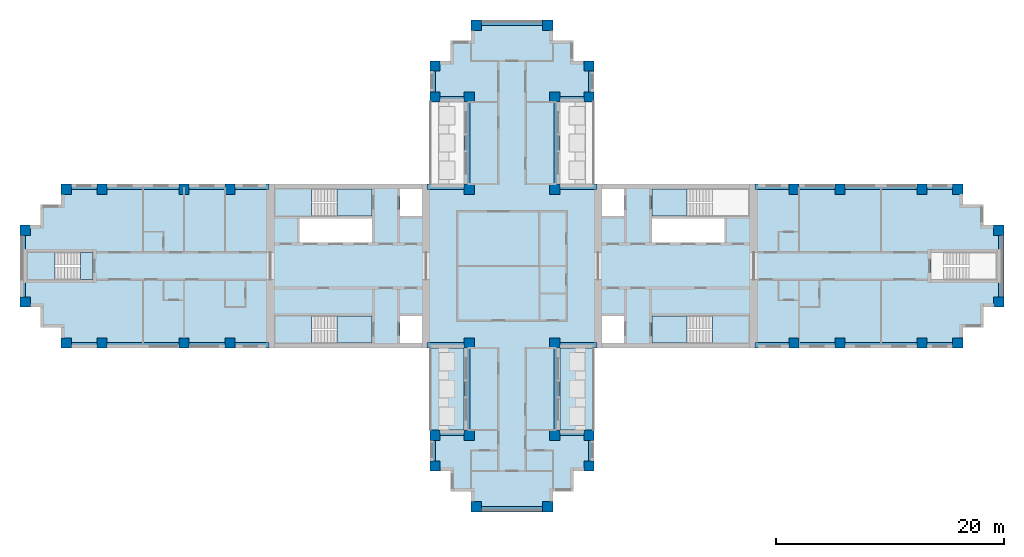
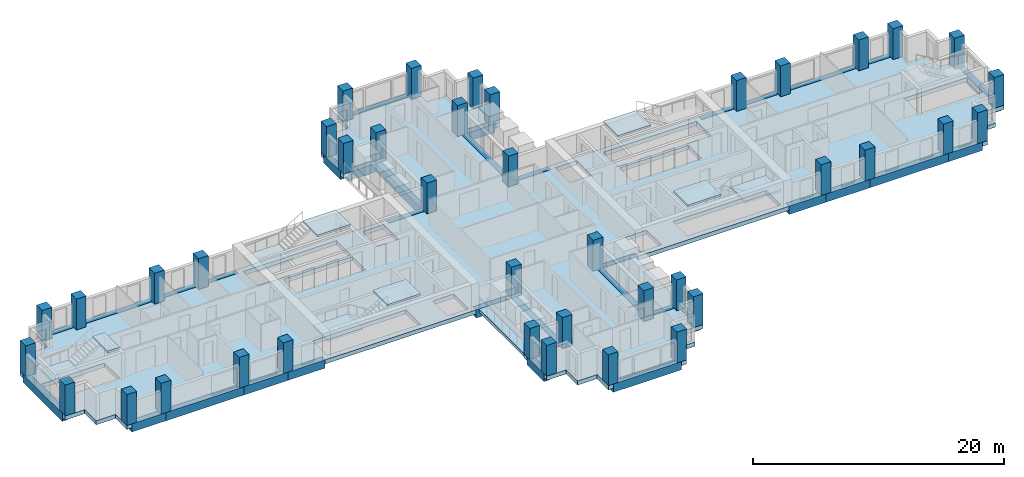
# One storey, part 1 of 12: 40 columns, 36 beams, 12 slabs, 5 elements without a shape of their own.
"""IFC4 building model written with IfcOpenShell, lengths in metres."""

from ifc_helpers import new_model, si_unit, direction, frame, origin, origin_2d, place, context, subcontext, project, spatial, polyline, rectangle, outline, extrude, material, layer, layer_set, material_profile, profile_set, type_object, element, aggregate, save


model = new_model("IFC4")

# Units and contexts
model_context = context("Model", 3, precision=1e-05, world=origin(), true_north=direction((0.0, 1.0)))
body_context = subcontext(model_context, "Body", "Model", "MODEL_VIEW")
ifc_project = project(units=[si_unit("LENGTHUNIT", "METRE"), si_unit("AREAUNIT", "SQUARE_METRE"), si_unit("VOLUMEUNIT", "CUBIC_METRE"), si_unit("PLANEANGLEUNIT", "RADIAN"), si_unit("MASSUNIT", "GRAM", prefix="KILO")], contexts=[model_context])

# Site, building, storey
site_placement = place(None, origin())
site = spatial("IfcSite", under=ifc_project, at=site_placement, CompositionType="ELEMENT")
building_placement = place(site_placement, origin())
building = spatial("IfcBuilding", under=site, at=building_placement, Name="Fustian Cross Tower", CompositionType="ELEMENT")
storey_placement = place(building_placement, frame((0.0, 0.0, 132.300048828125)))
storey = spatial("IfcBuildingStorey", under=building, at=storey_placement, Name="L41", CompositionType="ELEMENT", Elevation=132.300048828125)

# Columns
ifc_material_1 = material(Name="Concrete C50/60", Category="concrete")
ifc_material_profile_1 = material_profile(ifc_material_1, rectangle(XDim=0.89990234375, YDim=0.89990234375, at=origin_2d()), Name="RC 900x900")
ifc_profile_set_1 = profile_set([ifc_material_profile_1], Name="Concrete C50/60")
column_type = type_object("IfcColumnType", Name="COLUMN RC 900x900 C50/60", PredefinedType="COLUMN", material=ifc_profile_set_1)
for number, where, z_axis, x_axis, name in (
    (1, (-42.75, -3.14990234375, 0.0), (0.0, 0.0, 1.0), (1.0, 0.0, 0.0), "COLUMN 001"),
    (2, (-42.75, 3.14990234375, 0.0), (0.0, 0.0, 1.0), (1.0, 0.0, 0.0), "COLUMN 002"),
    (3, (-39.14990234375, -6.75, 0.0), (0.0, 0.0, 1.0), (1.0, 0.0, 0.0), "COLUMN 003"),
    (4, (-39.14990234375, 6.75, 0.0), (0.0, 0.0, 1.0), (1.0, 0.0, 0.0), "COLUMN 004"),
    (5, (-36.0, -6.75, 0.0), (0.0, 0.0, 1.0), (1.0, 0.0, 0.0), "COLUMN 005"),
    (6, (-36.0, 6.75, 0.0), (0.0, 0.0, 1.0), (1.0, 0.0, 0.0), "COLUMN 006"),
    (7, (-28.800048828125, -6.75, 0.0), (0.0, 0.0, 1.0), (1.0, 0.0, 0.0), "COLUMN 007"),
    (8, (-28.800048828125, 6.75, 0.0), (0.0, 0.0, 1.0), (1.0, 0.0, 0.0), "COLUMN 010"),
    (9, (-24.75, -6.75, 0.0), (0.0, 0.0, 1.0), (1.0, 0.0, 0.0), "COLUMN 011"),
    (10, (-24.75, 6.75, 0.0), (0.0, 0.0, 1.0), (1.0, 0.0, 0.0), "COLUMN 012"),
    (11, (-6.75, -17.550048828125, 0.0), (0.0, 0.0, 1.0), (1.0, 0.0, 0.0), "COLUMN 017"),
    (12, (-6.75, -14.85009765625, 0.0), (0.0, 0.0, 1.0), (1.0, 0.0, 0.0), "COLUMN 018"),
    (13, (-6.75, 14.85009765625, 0.0), (0.0, 0.0, 1.0), (1.0, 0.0, 0.0), "COLUMN 019"),
    (14, (-6.75, 17.550048828125, 0.0), (0.0, 0.0, 1.0), (1.0, 0.0, 0.0), "COLUMN 020"),
    (15, (-3.75, -14.85009765625, 0.0), (0.0, 0.0, 1.0), (1.0, 0.0, 0.0), "COLUMN 025"),
    (16, (-3.75, -6.75, 0.0), (0.0, 0.0, 1.0), (1.0, 0.0, 0.0), "COLUMN 026"),
    (17, (-3.75, 6.75, 0.0), (0.0, 0.0, 1.0), (1.0, 0.0, 0.0), "COLUMN 027"),
    (18, (-3.75, 14.85009765625, 0.0), (0.0, 0.0, 1.0), (1.0, 0.0, 0.0), "COLUMN 028"),
    (19, (-3.14990234375, -21.14990234375, 0.0), (0.0, 0.0, 1.0), (1.0, 0.0, 0.0), "COLUMN 030"),
    (20, (-3.14990234375, 21.14990234375, 0.0), (0.0, 0.0, 1.0), (1.0, 0.0, 0.0), "COLUMN 031"),
    (21, (3.14990234375, -21.14990234375, 0.0), (0.0, 0.0, 1.0), (1.0, 0.0, 0.0), "COLUMN 034"),
    (22, (3.14990234375, 21.14990234375, 0.0), (0.0, 0.0, 1.0), (1.0, 0.0, 0.0), "COLUMN 035"),
    (23, (3.75, -14.85009765625, 0.0), (0.0, 0.0, 1.0), (1.0, 0.0, 0.0), "COLUMN 037"),
    (24, (3.75, -6.75, 0.0), (0.0, 0.0, 1.0), (1.0, 0.0, 0.0), "COLUMN 038"),
    (25, (3.75, 6.75, 0.0), (0.0, 0.0, 1.0), (1.0, 0.0, 0.0), "COLUMN 039"),
    (26, (3.75, 14.85009765625, 0.0), (0.0, 0.0, 1.0), (1.0, 0.0, 0.0), "COLUMN 040"),
    (27, (6.75, -17.550048828125, 0.0), (0.0, 0.0, 1.0), (1.0, 0.0, 0.0), "COLUMN 045"),
    (28, (6.75, -14.85009765625, 0.0), (0.0, 0.0, 1.0), (1.0, 0.0, 0.0), "COLUMN 046"),
    (29, (6.75, 14.85009765625, 0.0), (0.0, 0.0, 1.0), (1.0, 0.0, 0.0), "COLUMN 047"),
    (30, (6.75, 17.550048828125, 0.0), (0.0, 0.0, 1.0), (1.0, 0.0, 0.0), "COLUMN 048"),
    (31, (24.75, -6.75, 0.0), (0.0, 0.0, 1.0), (1.0, 0.0, 0.0), "COLUMN 053"),
    (32, (24.75, 6.75, 0.0), (0.0, 0.0, 1.0), (1.0, 0.0, 0.0), "COLUMN 054"),
    (33, (28.800048828125, -6.75, 0.0), (0.0, 0.0, 1.0), (1.0, 0.0, 0.0), "COLUMN 055"),
    (34, (28.800048828125, 6.75, 0.0), (0.0, 0.0, 1.0), (1.0, 0.0, 0.0), "COLUMN 058"),
    (35, (36.0, -6.75, 0.0), (0.0, 0.0, 1.0), (1.0, 0.0, 0.0), "COLUMN 059"),
    (36, (36.0, 6.75, 0.0), (0.0, 0.0, 1.0), (1.0, 0.0, 0.0), "COLUMN 060"),
    (37, (39.14990234375, -6.75, 0.0), (0.0, 0.0, 1.0), (1.0, 0.0, 0.0), "COLUMN 061"),
    (38, (39.14990234375, 6.75, 0.0), (0.0, 0.0, 1.0), (1.0, 0.0, 0.0), "COLUMN 062"),
    (39, (42.75, -3.14990234375, 0.0), (0.0, 0.0, 1.0), (1.0, 0.0, 0.0), "COLUMN 063"),
    (40, (42.75, 3.14990234375, 0.0), (0.0, 0.0, 1.0), (1.0, 0.0, 0.0), "COLUMN 064"),
):
    element("IfcColumn", number, at=place(storey_placement, frame(where, z_axis=z_axis, x_axis=x_axis)), inside=storey, type_object=column_type, Name=name, PredefinedType="COLUMN", context=body_context, shape_type="SweptSolid", body=[
        extrude(rectangle(XDim=0.89990234375, YDim=0.89990234375, at=origin_2d()), origin(), (0.0, 0.0, 1.0), 3.0),
    ])

# Beams
ifc_material_2 = material(Name="Concrete C50/60", Category="concrete")
ifc_material_profile_2 = material_profile(ifc_material_2, rectangle(XDim=0.5, YDim=0.800048828125, at=origin_2d()), Name="RC 500x800")
ifc_profile_set_2 = profile_set([ifc_material_profile_2], Name="Concrete C50/60")
beam_type = type_object("IfcBeamType", Name="EDGE BEAM RC 500x800 C50/60", PredefinedType="SPANDREL", material=ifc_profile_set_2)
beam_1_placement = place(storey_placement, frame((21.35009765625, -6.949951171875, -0.400146484375), z_axis=(1.0, 0.0, 0.0), x_axis=(0.0, 1.0, 0.0)))
element("IfcBeam", 41, at=beam_1_placement, inside=storey, type_object=beam_type, Name="EDGE BEAM L41-01", PredefinedType="SPANDREL", context=body_context, shape_type="SweptSolid", body=[
    extrude(rectangle(XDim=0.5, YDim=0.800048828125, at=origin_2d()), origin(), (0.0, 0.0, 1.0), 3.39990234375),
])
beam_2_placement = place(storey_placement, frame((24.75, -6.949951171875, -0.400146484375), z_axis=(1.0, 0.0, 0.0), x_axis=(0.0, 1.0, 0.0)))
element("IfcBeam", 42, at=beam_2_placement, inside=storey, type_object=beam_type, Name="EDGE BEAM L41-02", PredefinedType="SPANDREL", context=body_context, shape_type="SweptSolid", body=[
    extrude(rectangle(XDim=0.5, YDim=0.800048828125, at=origin_2d()), origin(), (0.0, 0.0, 1.0), 4.050048828125),
])
beam_3_placement = place(storey_placement, frame((28.800048828125, -6.949951171875, -0.400146484375), z_axis=(1.0, 0.0, 0.0), x_axis=(0.0, 1.0, 0.0)))
element("IfcBeam", 43, at=beam_3_placement, inside=storey, type_object=beam_type, Name="EDGE BEAM L41-03", PredefinedType="SPANDREL", context=body_context, shape_type="SweptSolid", body=[
    extrude(rectangle(XDim=0.5, YDim=0.800048828125, at=origin_2d()), origin(), (0.0, 0.0, 1.0), 7.199951171875),
])
beam_4_placement = place(storey_placement, frame((36.0, -6.949951171875, -0.400146484375), z_axis=(1.0, 0.0, 0.0), x_axis=(0.0, 1.0, 0.0)))
element("IfcBeam", 44, at=beam_4_placement, inside=storey, type_object=beam_type, Name="EDGE BEAM L41-04", PredefinedType="SPANDREL", context=body_context, shape_type="SweptSolid", body=[
    extrude(rectangle(XDim=0.5, YDim=0.800048828125, at=origin_2d()), origin(), (0.0, 0.0, 1.0), 3.14990234375),
])
beam_5_placement = place(storey_placement, frame((42.949951171875, -3.14990234375, -0.400146484375), z_axis=(0.0, 1.0, 0.0), x_axis=(-1.0, 0.0, 0.0)))
element("IfcBeam", 45, at=beam_5_placement, inside=storey, type_object=beam_type, Name="EDGE BEAM L41-05", PredefinedType="SPANDREL", context=body_context, shape_type="SweptSolid", body=[
    extrude(rectangle(XDim=0.5, YDim=0.800048828125, at=origin_2d()), origin(), (0.0, 0.0, 1.0), 6.2998046875),
])
beam_6_placement = place(storey_placement, frame((39.14990234375, 6.949951171875, -0.400146484375), z_axis=(-1.0, 0.0, 0.0), x_axis=(0.0, -1.0, 0.0)))
element("IfcBeam", 46, at=beam_6_placement, inside=storey, type_object=beam_type, Name="EDGE BEAM L41-06", PredefinedType="SPANDREL", context=body_context, shape_type="SweptSolid", body=[
    extrude(rectangle(XDim=0.5, YDim=0.800048828125, at=origin_2d()), origin(), (0.0, 0.0, 1.0), 3.14990234375),
])
beam_7_placement = place(storey_placement, frame((36.0, 6.949951171875, -0.400146484375), z_axis=(-1.0, 0.0, 0.0), x_axis=(0.0, -1.0, 0.0)))
element("IfcBeam", 47, at=beam_7_placement, inside=storey, type_object=beam_type, Name="EDGE BEAM L41-07", PredefinedType="SPANDREL", context=body_context, shape_type="SweptSolid", body=[
    extrude(rectangle(XDim=0.5, YDim=0.800048828125, at=origin_2d()), origin(), (0.0, 0.0, 1.0), 7.199951171875),
])
beam_8_placement = place(storey_placement, frame((28.800048828125, 6.949951171875, -0.400146484375), z_axis=(-1.0, 0.0, 0.0), x_axis=(0.0, -1.0, 0.0)))
element("IfcBeam", 48, at=beam_8_placement, inside=storey, type_object=beam_type, Name="EDGE BEAM L41-08", PredefinedType="SPANDREL", context=body_context, shape_type="SweptSolid", body=[
    extrude(rectangle(XDim=0.5, YDim=0.800048828125, at=origin_2d()), origin(), (0.0, 0.0, 1.0), 4.050048828125),
])
beam_9_placement = place(storey_placement, frame((24.75, 6.949951171875, -0.400146484375), z_axis=(-1.0, 0.0, 0.0), x_axis=(0.0, -1.0, 0.0)))
element("IfcBeam", 49, at=beam_9_placement, inside=storey, type_object=beam_type, Name="EDGE BEAM L41-09", PredefinedType="SPANDREL", context=body_context, shape_type="SweptSolid", body=[
    extrude(rectangle(XDim=0.5, YDim=0.800048828125, at=origin_2d()), origin(), (0.0, 0.0, 1.0), 3.39990234375),
])
beam_10_placement = place(storey_placement, frame((7.449951171875, 6.949951171875, -0.400146484375), z_axis=(-1.0, 0.0, 0.0), x_axis=(0.0, -1.0, 0.0)))
element("IfcBeam", 50, at=beam_10_placement, inside=storey, type_object=beam_type, Name="EDGE BEAM L41-10", PredefinedType="SPANDREL", context=body_context, shape_type="SweptSolid", body=[
    extrude(rectangle(XDim=0.5, YDim=0.800048828125, at=origin_2d()), origin(), (0.0, 0.0, 1.0), 3.699951171875),
])
beam_11_placement = place(storey_placement, frame((3.949951171875, 6.75, -0.400146484375), z_axis=(0.0, 1.0, 0.0), x_axis=(-1.0, 0.0, 0.0)))
element("IfcBeam", 51, at=beam_11_placement, inside=storey, type_object=beam_type, Name="EDGE BEAM L41-11", PredefinedType="SPANDREL", context=body_context, shape_type="SweptSolid", body=[
    extrude(rectangle(XDim=0.5, YDim=0.800048828125, at=origin_2d()), origin(), (0.0, 0.0, 1.0), 8.10009765625),
])
beam_12_placement = place(storey_placement, frame((3.75, 14.64990234375, -0.400146484375), z_axis=(1.0, 0.0, 0.0), x_axis=(0.0, 1.0, 0.0)))
element("IfcBeam", 52, at=beam_12_placement, inside=storey, type_object=beam_type, Name="EDGE BEAM L41-12", PredefinedType="SPANDREL", context=body_context, shape_type="SweptSolid", body=[
    extrude(rectangle(XDim=0.5, YDim=0.800048828125, at=origin_2d()), origin(), (0.0, 0.0, 1.0), 3.0),
])
beam_13_placement = place(storey_placement, frame((6.949951171875, 14.85009765625, -0.400146484375), z_axis=(0.0, 1.0, 0.0), x_axis=(-1.0, 0.0, 0.0)))
element("IfcBeam", 53, at=beam_13_placement, inside=storey, type_object=beam_type, Name="EDGE BEAM L41-13", PredefinedType="SPANDREL", context=body_context, shape_type="SweptSolid", body=[
    extrude(rectangle(XDim=0.5, YDim=0.800048828125, at=origin_2d()), origin(), (0.0, 0.0, 1.0), 2.699951171875),
])
beam_14_placement = place(storey_placement, frame((3.14990234375, 21.35009765625, -0.400146484375), z_axis=(-1.0, 0.0, 0.0), x_axis=(0.0, -1.0, 0.0)))
element("IfcBeam", 54, at=beam_14_placement, inside=storey, type_object=beam_type, Name="EDGE BEAM L41-14", PredefinedType="SPANDREL", context=body_context, shape_type="SweptSolid", body=[
    extrude(rectangle(XDim=0.5, YDim=0.800048828125, at=origin_2d()), origin(), (0.0, 0.0, 1.0), 6.2998046875),
])
beam_15_placement = place(storey_placement, frame((-6.949951171875, 17.550048828125, -0.400146484375), z_axis=(0.0, -1.0, 0.0), x_axis=(1.0, 0.0, 0.0)))
element("IfcBeam", 55, at=beam_15_placement, inside=storey, type_object=beam_type, Name="EDGE BEAM L41-15", PredefinedType="SPANDREL", context=body_context, shape_type="SweptSolid", body=[
    extrude(rectangle(XDim=0.5, YDim=0.800048828125, at=origin_2d()), origin(), (0.0, 0.0, 1.0), 2.699951171875),
])
beam_16_placement = place(storey_placement, frame((-6.75, 14.64990234375, -0.400146484375), z_axis=(1.0, 0.0, 0.0), x_axis=(0.0, 1.0, 0.0)))
element("IfcBeam", 56, at=beam_16_placement, inside=storey, type_object=beam_type, Name="EDGE BEAM L41-16", PredefinedType="SPANDREL", context=body_context, shape_type="SweptSolid", body=[
    extrude(rectangle(XDim=0.5, YDim=0.800048828125, at=origin_2d()), origin(), (0.0, 0.0, 1.0), 3.0),
])
beam_17_placement = place(storey_placement, frame((-3.949951171875, 14.85009765625, -0.400146484375), z_axis=(0.0, -1.0, 0.0), x_axis=(1.0, 0.0, 0.0)))
element("IfcBeam", 57, at=beam_17_placement, inside=storey, type_object=beam_type, Name="EDGE BEAM L41-17", PredefinedType="SPANDREL", context=body_context, shape_type="SweptSolid", body=[
    extrude(rectangle(XDim=0.5, YDim=0.800048828125, at=origin_2d()), origin(), (0.0, 0.0, 1.0), 8.10009765625),
])
beam_18_placement = place(storey_placement, frame((-3.75, 6.949951171875, -0.400146484375), z_axis=(-1.0, 0.0, 0.0), x_axis=(0.0, -1.0, 0.0)))
element("IfcBeam", 58, at=beam_18_placement, inside=storey, type_object=beam_type, Name="EDGE BEAM L41-18", PredefinedType="SPANDREL", context=body_context, shape_type="SweptSolid", body=[
    extrude(rectangle(XDim=0.5, YDim=0.800048828125, at=origin_2d()), origin(), (0.0, 0.0, 1.0), 3.699951171875),
])
beam_19_placement = place(storey_placement, frame((-21.35009765625, 6.949951171875, -0.400146484375), z_axis=(-1.0, 0.0, 0.0), x_axis=(0.0, -1.0, 0.0)))
element("IfcBeam", 59, at=beam_19_placement, inside=storey, type_object=beam_type, Name="EDGE BEAM L41-19", PredefinedType="SPANDREL", context=body_context, shape_type="SweptSolid", body=[
    extrude(rectangle(XDim=0.5, YDim=0.800048828125, at=origin_2d()), origin(), (0.0, 0.0, 1.0), 3.39990234375),
])
beam_20_placement = place(storey_placement, frame((-24.75, 6.949951171875, -0.400146484375), z_axis=(-1.0, 0.0, 0.0), x_axis=(0.0, -1.0, 0.0)))
element("IfcBeam", 60, at=beam_20_placement, inside=storey, type_object=beam_type, Name="EDGE BEAM L41-20", PredefinedType="SPANDREL", context=body_context, shape_type="SweptSolid", body=[
    extrude(rectangle(XDim=0.5, YDim=0.800048828125, at=origin_2d()), origin(), (0.0, 0.0, 1.0), 4.050048828125),
])
beam_21_placement = place(storey_placement, frame((-28.800048828125, 6.949951171875, -0.400146484375), z_axis=(-1.0, 0.0, 0.0), x_axis=(0.0, -1.0, 0.0)))
element("IfcBeam", 61, at=beam_21_placement, inside=storey, type_object=beam_type, Name="EDGE BEAM L41-21", PredefinedType="SPANDREL", context=body_context, shape_type="SweptSolid", body=[
    extrude(rectangle(XDim=0.5, YDim=0.800048828125, at=origin_2d()), origin(), (0.0, 0.0, 1.0), 7.199951171875),
])
beam_22_placement = place(storey_placement, frame((-36.0, 6.949951171875, -0.400146484375), z_axis=(-1.0, 0.0, 0.0), x_axis=(0.0, -1.0, 0.0)))
element("IfcBeam", 62, at=beam_22_placement, inside=storey, type_object=beam_type, Name="EDGE BEAM L41-22", PredefinedType="SPANDREL", context=body_context, shape_type="SweptSolid", body=[
    extrude(rectangle(XDim=0.5, YDim=0.800048828125, at=origin_2d()), origin(), (0.0, 0.0, 1.0), 3.14990234375),
])
beam_23_placement = place(storey_placement, frame((-42.949951171875, 3.14990234375, -0.400146484375), z_axis=(0.0, -1.0, 0.0), x_axis=(1.0, 0.0, 0.0)))
element("IfcBeam", 63, at=beam_23_placement, inside=storey, type_object=beam_type, Name="EDGE BEAM L41-23", PredefinedType="SPANDREL", context=body_context, shape_type="SweptSolid", body=[
    extrude(rectangle(XDim=0.5, YDim=0.800048828125, at=origin_2d()), origin(), (0.0, 0.0, 1.0), 6.2998046875),
])
beam_24_placement = place(storey_placement, frame((-39.14990234375, -6.949951171875, -0.400146484375), z_axis=(1.0, 0.0, 0.0), x_axis=(0.0, 1.0, 0.0)))
element("IfcBeam", 64, at=beam_24_placement, inside=storey, type_object=beam_type, Name="EDGE BEAM L41-24", PredefinedType="SPANDREL", context=body_context, shape_type="SweptSolid", body=[
    extrude(rectangle(XDim=0.5, YDim=0.800048828125, at=origin_2d()), origin(), (0.0, 0.0, 1.0), 3.14990234375),
])
beam_25_placement = place(storey_placement, frame((-36.0, -6.949951171875, -0.400146484375), z_axis=(1.0, 0.0, 0.0), x_axis=(0.0, 1.0, 0.0)))
element("IfcBeam", 65, at=beam_25_placement, inside=storey, type_object=beam_type, Name="EDGE BEAM L41-25", PredefinedType="SPANDREL", context=body_context, shape_type="SweptSolid", body=[
    extrude(rectangle(XDim=0.5, YDim=0.800048828125, at=origin_2d()), origin(), (0.0, 0.0, 1.0), 7.199951171875),
])
beam_26_placement = place(storey_placement, frame((-28.800048828125, -6.949951171875, -0.400146484375), z_axis=(1.0, 0.0, 0.0), x_axis=(0.0, 1.0, 0.0)))
element("IfcBeam", 66, at=beam_26_placement, inside=storey, type_object=beam_type, Name="EDGE BEAM L41-26", PredefinedType="SPANDREL", context=body_context, shape_type="SweptSolid", body=[
    extrude(rectangle(XDim=0.5, YDim=0.800048828125, at=origin_2d()), origin(), (0.0, 0.0, 1.0), 4.050048828125),
])
beam_27_placement = place(storey_placement, frame((-24.75, -6.949951171875, -0.400146484375), z_axis=(1.0, 0.0, 0.0), x_axis=(0.0, 1.0, 0.0)))
element("IfcBeam", 67, at=beam_27_placement, inside=storey, type_object=beam_type, Name="EDGE BEAM L41-27", PredefinedType="SPANDREL", context=body_context, shape_type="SweptSolid", body=[
    extrude(rectangle(XDim=0.5, YDim=0.800048828125, at=origin_2d()), origin(), (0.0, 0.0, 1.0), 3.39990234375),
])
beam_28_placement = place(storey_placement, frame((-7.449951171875, -6.949951171875, -0.400146484375), z_axis=(1.0, 0.0, 0.0), x_axis=(0.0, 1.0, 0.0)))
element("IfcBeam", 68, at=beam_28_placement, inside=storey, type_object=beam_type, Name="EDGE BEAM L41-28", PredefinedType="SPANDREL", context=body_context, shape_type="SweptSolid", body=[
    extrude(rectangle(XDim=0.5, YDim=0.800048828125, at=origin_2d()), origin(), (0.0, 0.0, 1.0), 3.699951171875),
])
beam_29_placement = place(storey_placement, frame((-3.949951171875, -6.75, -0.400146484375), z_axis=(0.0, -1.0, 0.0), x_axis=(1.0, 0.0, 0.0)))
element("IfcBeam", 69, at=beam_29_placement, inside=storey, type_object=beam_type, Name="EDGE BEAM L41-29", PredefinedType="SPANDREL", context=body_context, shape_type="SweptSolid", body=[
    extrude(rectangle(XDim=0.5, YDim=0.800048828125, at=origin_2d()), origin(), (0.0, 0.0, 1.0), 8.10009765625),
])
beam_30_placement = place(storey_placement, frame((-3.75, -14.64990234375, -0.400146484375), z_axis=(-1.0, 0.0, 0.0), x_axis=(0.0, -1.0, 0.0)))
element("IfcBeam", 70, at=beam_30_placement, inside=storey, type_object=beam_type, Name="EDGE BEAM L41-30", PredefinedType="SPANDREL", context=body_context, shape_type="SweptSolid", body=[
    extrude(rectangle(XDim=0.5, YDim=0.800048828125, at=origin_2d()), origin(), (0.0, 0.0, 1.0), 3.0),
])
beam_31_placement = place(storey_placement, frame((-6.949951171875, -14.85009765625, -0.400146484375), z_axis=(0.0, -1.0, 0.0), x_axis=(1.0, 0.0, 0.0)))
element("IfcBeam", 71, at=beam_31_placement, inside=storey, type_object=beam_type, Name="EDGE BEAM L41-31", PredefinedType="SPANDREL", context=body_context, shape_type="SweptSolid", body=[
    extrude(rectangle(XDim=0.5, YDim=0.800048828125, at=origin_2d()), origin(), (0.0, 0.0, 1.0), 2.699951171875),
])
beam_32_placement = place(storey_placement, frame((-3.14990234375, -21.35009765625, -0.400146484375), z_axis=(1.0, 0.0, 0.0), x_axis=(0.0, 1.0, 0.0)))
element("IfcBeam", 72, at=beam_32_placement, inside=storey, type_object=beam_type, Name="EDGE BEAM L41-32", PredefinedType="SPANDREL", context=body_context, shape_type="SweptSolid", body=[
    extrude(rectangle(XDim=0.5, YDim=0.800048828125, at=origin_2d()), origin(), (0.0, 0.0, 1.0), 6.2998046875),
])
beam_33_placement = place(storey_placement, frame((6.949951171875, -17.550048828125, -0.400146484375), z_axis=(0.0, 1.0, 0.0), x_axis=(-1.0, 0.0, 0.0)))
element("IfcBeam", 73, at=beam_33_placement, inside=storey, type_object=beam_type, Name="EDGE BEAM L41-33", PredefinedType="SPANDREL", context=body_context, shape_type="SweptSolid", body=[
    extrude(rectangle(XDim=0.5, YDim=0.800048828125, at=origin_2d()), origin(), (0.0, 0.0, 1.0), 2.699951171875),
])
beam_34_placement = place(storey_placement, frame((6.75, -14.64990234375, -0.400146484375), z_axis=(-1.0, 0.0, 0.0), x_axis=(0.0, -1.0, 0.0)))
element("IfcBeam", 74, at=beam_34_placement, inside=storey, type_object=beam_type, Name="EDGE BEAM L41-34", PredefinedType="SPANDREL", context=body_context, shape_type="SweptSolid", body=[
    extrude(rectangle(XDim=0.5, YDim=0.800048828125, at=origin_2d()), origin(), (0.0, 0.0, 1.0), 3.0),
])
beam_35_placement = place(storey_placement, frame((3.949951171875, -14.85009765625, -0.400146484375), z_axis=(0.0, 1.0, 0.0), x_axis=(-1.0, 0.0, 0.0)))
element("IfcBeam", 75, at=beam_35_placement, inside=storey, type_object=beam_type, Name="EDGE BEAM L41-35", PredefinedType="SPANDREL", context=body_context, shape_type="SweptSolid", body=[
    extrude(rectangle(XDim=0.5, YDim=0.800048828125, at=origin_2d()), origin(), (0.0, 0.0, 1.0), 8.10009765625),
])
beam_36_placement = place(storey_placement, frame((3.75, -6.949951171875, -0.400146484375), z_axis=(1.0, 0.0, 0.0), x_axis=(0.0, 1.0, 0.0)))
element("IfcBeam", 76, at=beam_36_placement, inside=storey, type_object=beam_type, Name="EDGE BEAM L41-36", PredefinedType="SPANDREL", context=body_context, shape_type="SweptSolid", body=[
    extrude(rectangle(XDim=0.5, YDim=0.800048828125, at=origin_2d()), origin(), (0.0, 0.0, 1.0), 3.699951171875),
])

# Slabs
ifc_material_3 = material(Name="Concrete C40/50", Category="concrete")
ifc_layer_1 = layer(ifc_material_3, 0.300048828125)
ifc_layer_set_1 = layer_set([ifc_layer_1], Name="Concrete C40/50")
slab_type_1 = type_object("IfcSlabType", Name="BS1 BALCONY SLAB 300", PredefinedType="FLOOR", material=ifc_layer_set_1)
slab_1_placement = place(storey_placement, frame((0.0, 0.0, -0.300048828125)))
element("IfcSlab", 77, at=slab_1_placement, inside=storey, type_object=slab_type_1, Name="Balcony slab", PredefinedType="FLOOR", context=body_context, shape_type="SweptSolid", body=[
    extrude(outline(polyline([(4.199951171875, -14.39990234375), (7.199951171875, -14.39990234375), (7.199951171875, -7.199951171875), (4.199951171875, -7.199951171875), (4.199951171875, -14.39990234375)])), origin(), (0.0, 0.0, 1.0), 0.300048828125),
])
slab_2_placement = place(storey_placement, frame((0.0, 0.0, -0.300048828125)))
element("IfcSlab", 78, at=slab_2_placement, inside=storey, type_object=slab_type_1, Name="Balcony slab", PredefinedType="FLOOR", context=body_context, shape_type="SweptSolid", body=[
    extrude(outline(polyline([(-7.199951171875, -14.39990234375), (-4.199951171875, -14.39990234375), (-4.199951171875, -7.199951171875), (-7.199951171875, -7.199951171875), (-7.199951171875, -14.39990234375)])), origin(), (0.0, 0.0, 1.0), 0.300048828125),
])
ifc_material_4 = material(Name="Concrete C40/50", Category="concrete")
ifc_layer_2 = layer(ifc_material_4, 0.39990234375)
ifc_layer_set_2 = layer_set([ifc_layer_2], Name="Concrete C40/50")
slab_type_2 = type_object("IfcSlabType", Name="FLAT SLAB 400", PredefinedType="FLOOR", material=ifc_layer_set_2)
slab_3_placement = place(storey_placement, frame((0.0, 0.0, -0.400146484375)))
element("IfcSlab", 79, at=slab_3_placement, inside=storey, type_object=slab_type_2, Name="FLOOR SLAB L41-1", PredefinedType="FLOOR", context=body_context, shape_type="SweptSolid", body=[
    extrude(outline(polyline([(-5.39990234375, -18.0), (-7.199951171875, -18.0), (-7.199951171875, -14.39990234375), (-4.199951171875, -14.39990234375), (-4.199951171875, -7.199951171875), (-39.60009765625, -7.199951171875), (-39.60009765625, -5.39990234375), (-41.39990234375, -5.39990234375), (-41.39990234375, -3.60009765625), (-43.199951171875, -3.60009765625), (-43.199951171875, 3.60009765625), (-41.39990234375, 3.60009765625), (-41.39990234375, 5.39990234375), (-39.60009765625, 5.39990234375), (-39.60009765625, 7.199951171875), (-4.199951171875, 7.199951171875), (-4.199951171875, 14.39990234375), (-7.199951171875, 14.39990234375), (-7.199951171875, 18.0), (-5.39990234375, 18.0), (-5.39990234375, 19.800048828125), (-3.60009765625, 19.800048828125), (-3.60009765625, 21.60009765625), (3.60009765625, 21.60009765625), (3.60009765625, 19.800048828125), (5.39990234375, 19.800048828125), (5.39990234375, 18.0), (7.199951171875, 18.0), (7.199951171875, 14.39990234375), (4.199951171875, 14.39990234375), (4.199951171875, 7.199951171875), (39.60009765625, 7.199951171875), (39.60009765625, 5.39990234375), (41.39990234375, 5.39990234375), (41.39990234375, 3.60009765625), (43.199951171875, 3.60009765625), (43.199951171875, -3.60009765625), (41.39990234375, -3.60009765625), (41.39990234375, -5.39990234375), (39.60009765625, -5.39990234375), (39.60009765625, -7.199951171875), (4.199951171875, -7.199951171875), (4.199951171875, -14.39990234375), (7.199951171875, -14.39990234375), (7.199951171875, -18.0), (5.39990234375, -18.0), (5.39990234375, -19.800048828125), (3.60009765625, -19.800048828125), (3.60009765625, -21.60009765625), (-3.60009765625, -21.60009765625), (-3.60009765625, -19.800048828125), (-5.39990234375, -19.800048828125), (-5.39990234375, -18.0)]), holes=[polyline([(9.85009765625, 4.39990234375), (9.85009765625, 6.75), (7.89990234375, 6.75), (7.89990234375, 4.39990234375), (9.85009765625, 4.39990234375)]), polyline([(7.89990234375, -6.75), (9.85009765625, -6.75), (9.85009765625, -4.39990234375), (7.89990234375, -4.39990234375), (7.89990234375, -6.75)]), polyline([(-9.85009765625, 6.75), (-9.85009765625, 4.39990234375), (-7.89990234375, 4.39990234375), (-7.89990234375, 6.75), (-9.85009765625, 6.75)]), polyline([(-7.89990234375, -4.39990234375), (-9.85009765625, -4.39990234375), (-9.85009765625, -6.75), (-7.89990234375, -6.75), (-7.89990234375, -4.39990234375)]), polyline([(18.64990234375, 2.050048828125), (18.64990234375, 4.14990234375), (12.300048828125, 4.14990234375), (12.300048828125, 2.050048828125), (18.64990234375, 2.050048828125)]), polyline([(-18.64990234375, 2.050048828125), (-12.300048828125, 2.050048828125), (-12.300048828125, 4.14990234375), (-18.64990234375, 4.14990234375), (-18.64990234375, 2.050048828125)]), polyline([(12.300048828125, 6.699951171875), (12.300048828125, 4.39990234375), (20.85009765625, 4.39990234375), (20.85009765625, 6.699951171875), (12.300048828125, 6.699951171875)]), polyline([(20.85009765625, -4.39990234375), (12.300048828125, -4.39990234375), (12.300048828125, -6.699951171875), (20.85009765625, -6.699951171875), (20.85009765625, -4.39990234375)]), polyline([(-12.300048828125, 4.39990234375), (-12.300048828125, 6.699951171875), (-20.85009765625, 6.699951171875), (-20.85009765625, 4.39990234375), (-12.300048828125, 4.39990234375)]), polyline([(-20.85009765625, -6.699951171875), (-12.300048828125, -6.699951171875), (-12.300048828125, -4.39990234375), (-20.85009765625, -4.39990234375), (-20.85009765625, -6.699951171875)]), polyline([(36.800048828125, 1.199951171875), (36.800048828125, -1.199951171875), (42.60009765625, -1.199951171875), (42.60009765625, 1.199951171875), (36.800048828125, 1.199951171875)]), polyline([(-36.800048828125, 1.199951171875), (-42.60009765625, 1.199951171875), (-42.60009765625, -1.199951171875), (-36.800048828125, -1.199951171875), (-36.800048828125, 1.199951171875)])]), origin(), (0.0, 0.0, 1.0), 0.400146484375),
])

# Stair, slab
ifc_material_5 = material(Name="Concrete C50/60", Category="concrete")
stair_type_1 = type_object("IfcStairType", Name="STAIR 1150 HALF TURN", PredefinedType="HALF_TURN_STAIR", material=ifc_material_5)
stair_1_placement = place(storey_placement, origin())
stair_1 = element("IfcStair", 80, at=stair_1_placement, inside=storey, type_object=stair_type_1, Name="Stair ST1", PredefinedType="HALF_TURN_STAIR")
ifc_material_6 = material(Name="Concrete C50/60", Category="concrete")
ifc_layer_3 = layer(ifc_material_6, 0.199951171875)
ifc_layer_set_3 = layer_set([ifc_layer_3], Name="Concrete C50/60")
slab_type_3 = type_object("IfcSlabType", Name="STAIR LANDING", PredefinedType="LANDING", material=ifc_layer_set_3)
slab_4_placement = place(storey_placement, frame((0.0, 0.0, 2.800048828125)))
slab_4 = element("IfcSlab", 81, at=slab_4_placement, type_object=slab_type_3, Name="ST1 landing 2", PredefinedType="LANDING", context=body_context, shape_type="SweptSolid", body=[
    extrude(outline(polyline([(12.300048828125, 4.39990234375), (15.35009765625, 4.39990234375), (15.35009765625, 6.75), (12.300048828125, 6.75), (12.300048828125, 4.39990234375)])), origin(), (0.0, 0.0, 1.0), 0.199951171875),
])
aggregate(stair_1, [slab_4])

# Stair, slabs
stair_2_placement = place(storey_placement, origin())
stair_2 = element("IfcStair", 82, at=stair_2_placement, inside=storey, type_object=stair_type_1, Name="Stair ST2", PredefinedType="HALF_TURN_STAIR")
slab_5_placement = place(storey_placement, frame((0.0, 0.0, 1.300048828125)))
slab_5 = element("IfcSlab", 83, at=slab_5_placement, type_object=slab_type_3, Name="ST2 landing 1", PredefinedType="LANDING", context=body_context, shape_type="SweptSolid", body=[
    extrude(outline(polyline([(17.590087890625, -4.39990234375), (20.85009765625, -4.39990234375), (20.85009765625, -6.75), (17.590087890625, -6.75), (17.590087890625, -4.39990234375)])), origin(), (0.0, 0.0, 1.0), 0.199951171875),
])
slab_6_placement = place(storey_placement, frame((0.0, 0.0, 2.800048828125)))
slab_6 = element("IfcSlab", 84, at=slab_6_placement, type_object=slab_type_3, Name="ST2 landing 2", PredefinedType="LANDING", context=body_context, shape_type="SweptSolid", body=[
    extrude(outline(polyline([(12.300048828125, -4.39990234375), (15.35009765625, -4.39990234375), (15.35009765625, -6.75), (12.300048828125, -6.75), (12.300048828125, -4.39990234375)])), origin(), (0.0, 0.0, 1.0), 0.199951171875),
])
aggregate(stair_2, [slab_5, slab_6])

stair_3_placement = place(storey_placement, origin())
stair_3 = element("IfcStair", 85, at=stair_3_placement, inside=storey, type_object=stair_type_1, Name="Stair ST3", PredefinedType="HALF_TURN_STAIR")
slab_7_placement = place(storey_placement, frame((0.0, 0.0, 1.300048828125)))
slab_7 = element("IfcSlab", 86, at=slab_7_placement, type_object=slab_type_3, Name="ST3 landing 1", PredefinedType="LANDING", context=body_context, shape_type="SweptSolid", body=[
    extrude(outline(polyline([(-17.590087890625, 4.39990234375), (-20.85009765625, 4.39990234375), (-20.85009765625, 6.75), (-17.590087890625, 6.75), (-17.590087890625, 4.39990234375)])), origin(), (0.0, 0.0, 1.0), 0.199951171875),
])
slab_8_placement = place(storey_placement, frame((0.0, 0.0, 2.800048828125)))
slab_8 = element("IfcSlab", 87, at=slab_8_placement, type_object=slab_type_3, Name="ST3 landing 2", PredefinedType="LANDING", context=body_context, shape_type="SweptSolid", body=[
    extrude(outline(polyline([(-12.300048828125, 4.39990234375), (-15.35009765625, 4.39990234375), (-15.35009765625, 6.75), (-12.300048828125, 6.75), (-12.300048828125, 4.39990234375)])), origin(), (0.0, 0.0, 1.0), 0.199951171875),
])
aggregate(stair_3, [slab_7, slab_8])

stair_4_placement = place(storey_placement, origin())
stair_4 = element("IfcStair", 88, at=stair_4_placement, inside=storey, type_object=stair_type_1, Name="Stair ST4", PredefinedType="HALF_TURN_STAIR")
slab_9_placement = place(storey_placement, frame((0.0, 0.0, 1.300048828125)))
slab_9 = element("IfcSlab", 89, at=slab_9_placement, type_object=slab_type_3, Name="ST4 landing 1", PredefinedType="LANDING", context=body_context, shape_type="SweptSolid", body=[
    extrude(outline(polyline([(-17.590087890625, -4.39990234375), (-20.85009765625, -4.39990234375), (-20.85009765625, -6.75), (-17.590087890625, -6.75), (-17.590087890625, -4.39990234375)])), origin(), (0.0, 0.0, 1.0), 0.199951171875),
])
slab_10_placement = place(storey_placement, frame((0.0, 0.0, 2.800048828125)))
slab_10 = element("IfcSlab", 90, at=slab_10_placement, type_object=slab_type_3, Name="ST4 landing 2", PredefinedType="LANDING", context=body_context, shape_type="SweptSolid", body=[
    extrude(outline(polyline([(-12.300048828125, -4.39990234375), (-15.35009765625, -4.39990234375), (-15.35009765625, -6.75), (-12.300048828125, -6.75), (-12.300048828125, -4.39990234375)])), origin(), (0.0, 0.0, 1.0), 0.199951171875),
])
aggregate(stair_4, [slab_9, slab_10])

ifc_material_7 = material(Name="Concrete C50/60", Category="concrete")
stair_type_2 = type_object("IfcStairType", Name="STAIR 1100 HALF TURN", PredefinedType="HALF_TURN_STAIR", material=ifc_material_7)
stair_5_placement = place(storey_placement, origin())
stair_5 = element("IfcStair", 91, at=stair_5_placement, inside=storey, type_object=stair_type_2, Name="Stair ST9", PredefinedType="HALF_TURN_STAIR")
slab_11_placement = place(storey_placement, frame((0.0, 0.0, 1.300048828125)))
slab_11 = element("IfcSlab", 92, at=slab_11_placement, type_object=slab_type_3, Name="ST9 landing 1", PredefinedType="LANDING", context=body_context, shape_type="SweptSolid", body=[
    extrude(outline(polyline([(-40.139892578125, -1.199951171875), (-42.60009765625, -1.199951171875), (-42.60009765625, 1.199951171875), (-40.139892578125, 1.199951171875), (-40.139892578125, -1.199951171875)])), origin(), (0.0, 0.0, 1.0), 0.199951171875),
])
slab_12_placement = place(storey_placement, frame((0.0, 0.0, 2.800048828125)))
slab_12 = element("IfcSlab", 93, at=slab_12_placement, type_object=slab_type_3, Name="ST9 landing 2", PredefinedType="LANDING", context=body_context, shape_type="SweptSolid", body=[
    extrude(outline(polyline([(-36.800048828125, -1.199951171875), (-37.89990234375, -1.199951171875), (-37.89990234375, 1.199951171875), (-36.800048828125, 1.199951171875), (-36.800048828125, -1.199951171875)])), origin(), (0.0, 0.0, 1.0), 0.199951171875),
])
aggregate(stair_5, [slab_11, slab_12])

save(model, "model.ifc")
